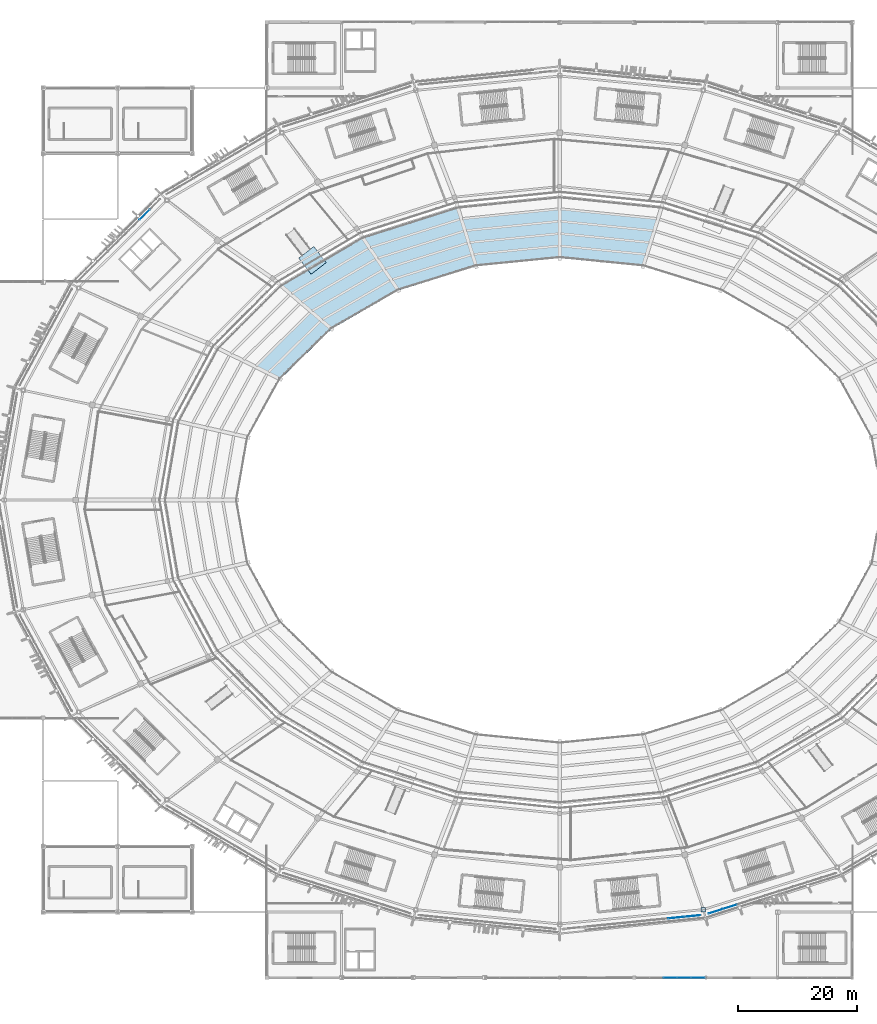
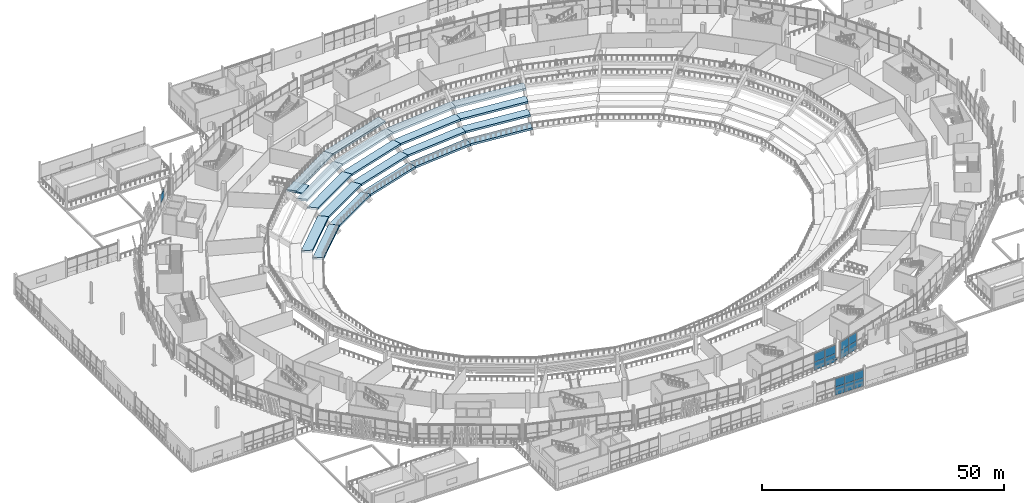
# One storey, part 94 of 178: 21 slabs, 16 plates, 4 elements without a shape of their own.
"""IFC4 building model written with IfcOpenShell, lengths in metres."""

from ifc_helpers import new_model, si_unit, direction, frame, origin, origin_2d, place, context, subcontext, project, spatial, polyline, rectangle, outline, extrude, material, layer, layer_set, type_object, element, aggregate, save


model = new_model("IFC4")

# Units and contexts
model_context = context("Model", 3, precision=1e-05, world=origin(), true_north=direction((0.0, 1.0)))
body_context = subcontext(model_context, "Body", "Model", "MODEL_VIEW")
ifc_project = project(units=[si_unit("LENGTHUNIT", "METRE"), si_unit("AREAUNIT", "SQUARE_METRE"), si_unit("VOLUMEUNIT", "CUBIC_METRE"), si_unit("PLANEANGLEUNIT", "RADIAN"), si_unit("MASSUNIT", "GRAM", prefix="KILO")], contexts=[model_context])

# Site, building, storey
site_placement = place(None, origin())
site = spatial("IfcSite", under=ifc_project, at=site_placement, CompositionType="ELEMENT")
building_placement = place(site_placement, origin())
building = spatial("IfcBuilding", under=site, at=building_placement, Name="Zlatoyarsky Gate Stadium", CompositionType="ELEMENT")
storey_placement = place(building_placement, frame((0.0, 0.0, 5.39990234375)))
storey = spatial("IfcBuildingStorey", under=building, at=storey_placement, Name="L01", CompositionType="ELEMENT", Elevation=5.39990234375)

# Curtain wall, plates
ifc_material_1 = material(Name="Thermally broken anodised aluminium curtain wall", Category="aluminium")
curtain_wall_type_1 = type_object("IfcCurtainWallType", Name="MONUMENTAL ARCHED GATE GLAZING LOWER", PredefinedType="USERDEFINED", material=ifc_material_1)
curtain_wall_1_placement = place(storey_placement, origin())
curtain_wall_1 = element("IfcCurtainWall", 1, at=curtain_wall_1_placement, inside=storey, type_object=curtain_wall_type_1, Name="Curtain wall CW-L01-18", ObjectType="ARCHED GATE GLAZING", PredefinedType="USERDEFINED")
ifc_material_2 = material(Name="Triple-glazed argon low-e architectural glass", Category="glass")
ifc_layer_1 = layer(ifc_material_2, 0.0458984375)
ifc_layer_set_1 = layer_set([ifc_layer_1], Name="Triple-glazed argon low-e architectural glass")
plate_type_1 = type_object("IfcPlateType", Name="ACOUSTIC LAMINATED GATE GLAZING PANEL 46", PredefinedType="CURTAIN_PANEL", material=ifc_layer_set_1)
plate_1_placement = place(storey_placement, frame((130.53759765625, 10.06103515625, 0.074951171875), z_axis=(0.0, 0.0, 1.0), x_axis=(0.994956958498, 0.100302795257, 0.0)))
plate_1 = element("IfcPlate", 2, at=plate_1_placement, type_object=plate_type_1, Name="CW-AG1 panel 6.1", PredefinedType="CURTAIN_PANEL", context=body_context, shape_type="SweptSolid", body=[
    extrude(rectangle(XDim=2.686279296875, YDim=0.0458984375, at=origin_2d()), origin(), (0.0, 0.0, 1.0), 2.03759765625),
])
plate_2_placement = place(storey_placement, frame((130.53759765625, 10.06103515625, 2.1875), z_axis=(0.0, 0.0, 1.0), x_axis=(0.994956958498, 0.100302795257, 0.0)))
plate_2 = element("IfcPlate", 3, at=plate_2_placement, type_object=plate_type_1, Name="CW-AG1 panel 6.2", PredefinedType="CURTAIN_PANEL", context=body_context, shape_type="SweptSolid", body=[
    extrude(rectangle(XDim=2.686279296875, YDim=0.0458984375, at=origin_2d()), origin(), (0.0, 0.0, 1.0), 2.137451171875),
])
plate_3_placement = place(storey_placement, frame((133.266357421875, 10.336181640625, 0.074951171875), z_axis=(0.0, 0.0, 1.0), x_axis=(0.994956958498, 0.100302795257, 0.0)))
plate_3 = element("IfcPlate", 4, at=plate_3_placement, type_object=plate_type_1, Name="CW-AG1 panel 7.1", PredefinedType="CURTAIN_PANEL", context=body_context, shape_type="SweptSolid", body=[
    extrude(rectangle(XDim=2.648681640625, YDim=0.0458984375, at=origin_2d()), origin(), (0.0, 0.0, 1.0), 2.03759765625),
])
plate_4_placement = place(storey_placement, frame((133.266357421875, 10.336181640625, 2.1875), z_axis=(0.0, 0.0, 1.0), x_axis=(0.994956958498, 0.100302795257, 0.0)))
plate_4 = element("IfcPlate", 5, at=plate_4_placement, type_object=plate_type_1, Name="CW-AG1 panel 7.2", PredefinedType="CURTAIN_PANEL", context=body_context, shape_type="SweptSolid", body=[
    extrude(rectangle(XDim=2.648681640625, YDim=0.0458984375, at=origin_2d()), origin(), (0.0, 0.0, 1.0), 2.137451171875),
])
aggregate(curtain_wall_1, [plate_1, plate_2, plate_3, plate_4])

# Slabs
ifc_material_3 = material(Name="Concrete C40/50", Category="concrete")
ifc_layer_2 = layer(ifc_material_3, 0.360107421875)
ifc_layer_set_2 = layer_set([ifc_layer_2], Name="Concrete C40/50")
slab_type_1 = type_object("IfcSlabType", Name="CONCRETE ACCESSIBLE PLATFORM SLAB 360", PredefinedType="FLOOR", material=ifc_layer_set_2)
slab_1_placement = place(storey_placement, origin())
element("IfcSlab", 6, at=slab_1_placement, inside=storey, type_object=slab_type_1, Name="L01 accessible viewing platform at AR-02", PredefinedType="FLOOR", context=body_context, shape_type="SweptSolid", body=[
    extrude(outline(polyline([(67.3125, 120.502685546875), (69.38232421875, 117.805419921875), (71.9208984375, 119.75341796875), (69.851318359375, 122.45068359375), (67.3125, 120.502685546875)])), origin(), (0.0, 0.0, 1.0), 0.360107421875),
])
ifc_material_4 = material(Name="Precast concrete C40/50", Category="concrete")
ifc_layer_3 = layer(ifc_material_4, 0.52001953125)
ifc_layer_set_3 = layer_set([ifc_layer_3], Name="Precast concrete C40/50")
slab_type_2 = type_object("IfcSlabType", Name="PRECAST LOWER SEATING TIER UNIT 520", PredefinedType="USERDEFINED", material=ifc_layer_set_3)
slab_2_placement = place(storey_placement, frame((0.0, 0.0, -3.869873046875)))
element("IfcSlab", 7, at=slab_2_placement, inside=storey, type_object=slab_type_2, Name="Lower seating tier sector 05 row 1", ObjectType="SEATING TIER", PredefinedType="USERDEFINED", context=body_context, shape_type="SweptSolid", body=[
    extrude(outline(polyline([(124.976318359375, 119.1201171875), (125.607666015625, 121.10986328125), (111.0, 122.56005859375), (111.0, 120.5), (124.976318359375, 119.1201171875)])), origin(), (0.0, 0.0, 1.0), 0.52001953125),
])
slab_3_placement = place(storey_placement, frame((0.0, 0.0, -1.969970703125)))
element("IfcSlab", 8, at=slab_3_placement, inside=storey, type_object=slab_type_2, Name="Lower seating tier sector 05 row 2", ObjectType="SEATING TIER", PredefinedType="USERDEFINED", context=body_context, shape_type="SweptSolid", body=[
    extrude(outline(polyline([(125.607666015625, 121.10986328125), (126.2392578125, 123.099609375), (111.0, 124.6201171875), (111.0, 122.56005859375), (125.607666015625, 121.10986328125)])), origin(), (0.0, 0.0, 1.0), 0.52001953125),
])
slab_4_placement = place(storey_placement, frame((0.0, 0.0, -0.06982421875)))
element("IfcSlab", 9, at=slab_4_placement, inside=storey, type_object=slab_type_2, Name="Lower seating tier sector 05 row 3", ObjectType="SEATING TIER", PredefinedType="USERDEFINED", context=body_context, shape_type="SweptSolid", body=[
    extrude(outline(polyline([(126.2392578125, 123.099609375), (126.870849609375, 125.08935546875), (111.0, 126.679931640625), (111.0, 124.6201171875), (126.2392578125, 123.099609375)])), origin(), (0.0, 0.0, 1.0), 0.52001953125),
])
slab_5_placement = place(storey_placement, frame((0.0, 0.0, 1.830078125)))
element("IfcSlab", 10, at=slab_5_placement, inside=storey, type_object=slab_type_2, Name="Lower seating tier sector 05 row 4", ObjectType="SEATING TIER", PredefinedType="USERDEFINED", context=body_context, shape_type="SweptSolid", body=[
    extrude(outline(polyline([(126.870849609375, 125.08935546875), (127.502197265625, 127.0791015625), (111.0, 128.739990234375), (111.0, 126.679931640625), (126.870849609375, 125.08935546875)])), origin(), (0.0, 0.0, 1.0), 0.52001953125),
])
slab_6_placement = place(storey_placement, frame((0.0, 0.0, -3.869873046875)))
element("IfcSlab", 11, at=slab_6_placement, inside=storey, type_object=slab_type_2, Name="Lower seating tier sector 06 row 1", ObjectType="SEATING TIER", PredefinedType="USERDEFINED", context=body_context, shape_type="SweptSolid", body=[
    extrude(outline(polyline([(111.0, 120.5), (111.0, 122.56005859375), (96.392333984375, 121.10986328125), (97.023681640625, 119.1201171875), (111.0, 120.5)])), origin(), (0.0, 0.0, 1.0), 0.52001953125),
])
slab_7_placement = place(storey_placement, frame((0.0, 0.0, -1.969970703125)))
element("IfcSlab", 12, at=slab_7_placement, inside=storey, type_object=slab_type_2, Name="Lower seating tier sector 06 row 2", ObjectType="SEATING TIER", PredefinedType="USERDEFINED", context=body_context, shape_type="SweptSolid", body=[
    extrude(outline(polyline([(111.0, 122.56005859375), (111.0, 124.6201171875), (95.7607421875, 123.099609375), (96.392333984375, 121.10986328125), (111.0, 122.56005859375)])), origin(), (0.0, 0.0, 1.0), 0.52001953125),
])
slab_8_placement = place(storey_placement, frame((0.0, 0.0, -0.06982421875)))
element("IfcSlab", 13, at=slab_8_placement, inside=storey, type_object=slab_type_2, Name="Lower seating tier sector 06 row 3", ObjectType="SEATING TIER", PredefinedType="USERDEFINED", context=body_context, shape_type="SweptSolid", body=[
    extrude(outline(polyline([(111.0, 124.6201171875), (111.0, 126.679931640625), (95.129150390625, 125.08935546875), (95.7607421875, 123.099609375), (111.0, 124.6201171875)])), origin(), (0.0, 0.0, 1.0), 0.52001953125),
])
slab_9_placement = place(storey_placement, frame((0.0, 0.0, 1.830078125)))
element("IfcSlab", 14, at=slab_9_placement, inside=storey, type_object=slab_type_2, Name="Lower seating tier sector 06 row 4", ObjectType="SEATING TIER", PredefinedType="USERDEFINED", context=body_context, shape_type="SweptSolid", body=[
    extrude(outline(polyline([(111.0, 126.679931640625), (111.0, 128.739990234375), (94.497802734375, 127.0791015625), (95.129150390625, 125.08935546875), (111.0, 126.679931640625)])), origin(), (0.0, 0.0, 1.0), 0.52001953125),
])
slab_10_placement = place(storey_placement, frame((0.0, 0.0, -3.869873046875)))
element("IfcSlab", 15, at=slab_10_placement, inside=storey, type_object=slab_type_2, Name="Lower seating tier sector 07 row 1", ObjectType="SEATING TIER", PredefinedType="USERDEFINED", context=body_context, shape_type="SweptSolid", body=[
    extrude(outline(polyline([(97.023681640625, 119.1201171875), (96.392333984375, 121.10986328125), (82.780029296875, 116.85791015625), (84.0, 115.073974609375), (97.023681640625, 119.1201171875)])), origin(), (0.0, 0.0, 1.0), 0.52001953125),
])
slab_11_placement = place(storey_placement, frame((0.0, 0.0, -1.969970703125)))
element("IfcSlab", 16, at=slab_11_placement, inside=storey, type_object=slab_type_2, Name="Lower seating tier sector 07 row 2", ObjectType="SEATING TIER", PredefinedType="USERDEFINED", context=body_context, shape_type="SweptSolid", body=[
    extrude(outline(polyline([(96.392333984375, 121.10986328125), (95.7607421875, 123.099609375), (81.56005859375, 118.64208984375), (82.780029296875, 116.85791015625), (96.392333984375, 121.10986328125)])), origin(), (0.0, 0.0, 1.0), 0.52001953125),
])
slab_12_placement = place(storey_placement, frame((0.0, 0.0, -0.06982421875)))
element("IfcSlab", 17, at=slab_12_placement, inside=storey, type_object=slab_type_2, Name="Lower seating tier sector 07 row 3", ObjectType="SEATING TIER", PredefinedType="USERDEFINED", context=body_context, shape_type="SweptSolid", body=[
    extrude(outline(polyline([(95.7607421875, 123.099609375), (95.129150390625, 125.08935546875), (80.340087890625, 120.426025390625), (81.56005859375, 118.64208984375), (95.7607421875, 123.099609375)])), origin(), (0.0, 0.0, 1.0), 0.52001953125),
])
slab_13_placement = place(storey_placement, frame((0.0, 0.0, 1.830078125)))
element("IfcSlab", 18, at=slab_13_placement, inside=storey, type_object=slab_type_2, Name="Lower seating tier sector 07 row 4", ObjectType="SEATING TIER", PredefinedType="USERDEFINED", context=body_context, shape_type="SweptSolid", body=[
    extrude(outline(polyline([(95.129150390625, 125.08935546875), (94.497802734375, 127.0791015625), (79.1201171875, 122.210205078125), (80.340087890625, 120.426025390625), (95.129150390625, 125.08935546875)])), origin(), (0.0, 0.0, 1.0), 0.52001953125),
])
slab_14_placement = place(storey_placement, frame((0.0, 0.0, 3.72998046875)))
element("IfcSlab", 19, at=slab_14_placement, inside=storey, type_object=slab_type_2, Name="Lower seating tier sector 07 row 5", ObjectType="SEATING TIER", PredefinedType="USERDEFINED", context=body_context, shape_type="SweptSolid", body=[
    extrude(outline(polyline([(94.497802734375, 127.0791015625), (93.8662109375, 129.069091796875), (77.89990234375, 123.994140625), (79.1201171875, 122.210205078125), (94.497802734375, 127.0791015625)])), origin(), (0.0, 0.0, 1.0), 0.52001953125),
])
slab_15_placement = place(storey_placement, frame((0.0, 0.0, -3.869873046875)))
element("IfcSlab", 20, at=slab_15_placement, inside=storey, type_object=slab_type_2, Name="Lower seating tier sector 08 row 1", ObjectType="SEATING TIER", PredefinedType="USERDEFINED", context=body_context, shape_type="SweptSolid", body=[
    extrude(outline(polyline([(84.0, 115.073974609375), (82.780029296875, 116.85791015625), (71.0908203125, 110.094482421875), (72.816162109375, 108.6376953125), (84.0, 115.073974609375)])), origin(), (0.0, 0.0, 1.0), 0.52001953125),
])
slab_16_placement = place(storey_placement, frame((0.0, 0.0, -1.969970703125)))
element("IfcSlab", 21, at=slab_16_placement, inside=storey, type_object=slab_type_2, Name="Lower seating tier sector 08 row 2", ObjectType="SEATING TIER", PredefinedType="USERDEFINED", context=body_context, shape_type="SweptSolid", body=[
    extrude(outline(polyline([(82.780029296875, 116.85791015625), (81.56005859375, 118.64208984375), (69.365478515625, 111.551025390625), (71.0908203125, 110.094482421875), (82.780029296875, 116.85791015625)])), origin(), (0.0, 0.0, 1.0), 0.52001953125),
])
slab_17_placement = place(storey_placement, frame((0.0, 0.0, -0.06982421875)))
element("IfcSlab", 22, at=slab_17_placement, inside=storey, type_object=slab_type_2, Name="Lower seating tier sector 08 row 3", ObjectType="SEATING TIER", PredefinedType="USERDEFINED", context=body_context, shape_type="SweptSolid", body=[
    extrude(outline(polyline([(81.56005859375, 118.64208984375), (80.340087890625, 120.426025390625), (67.64013671875, 113.0078125), (69.365478515625, 111.551025390625), (81.56005859375, 118.64208984375)])), origin(), (0.0, 0.0, 1.0), 0.52001953125),
])
slab_18_placement = place(storey_placement, frame((0.0, 0.0, 1.830078125)))
element("IfcSlab", 23, at=slab_18_placement, inside=storey, type_object=slab_type_2, Name="Lower seating tier sector 08 row 4", ObjectType="SEATING TIER", PredefinedType="USERDEFINED", context=body_context, shape_type="SweptSolid", body=[
    extrude(outline(polyline([(80.340087890625, 120.426025390625), (79.1201171875, 122.210205078125), (65.914794921875, 114.46435546875), (67.64013671875, 113.0078125), (80.340087890625, 120.426025390625)])), origin(), (0.0, 0.0, 1.0), 0.52001953125),
])
slab_19_placement = place(storey_placement, frame((0.0, 0.0, 3.72998046875)))
element("IfcSlab", 24, at=slab_19_placement, inside=storey, type_object=slab_type_2, Name="Lower seating tier sector 08 row 5", ObjectType="SEATING TIER", PredefinedType="USERDEFINED", context=body_context, shape_type="SweptSolid", body=[
    extrude(outline(polyline([(79.1201171875, 122.210205078125), (77.89990234375, 123.994140625), (64.189453125, 115.9208984375), (65.914794921875, 114.46435546875), (79.1201171875, 122.210205078125)])), origin(), (0.0, 0.0, 1.0), 0.52001953125),
])
slab_20_placement = place(storey_placement, frame((0.0, 0.0, -3.869873046875)))
element("IfcSlab", 25, at=slab_20_placement, inside=storey, type_object=slab_type_2, Name="Lower seating tier sector 09 row 1", ObjectType="SEATING TIER", PredefinedType="USERDEFINED", context=body_context, shape_type="SweptSolid", body=[
    extrude(outline(polyline([(72.816162109375, 108.6376953125), (71.0908203125, 110.094482421875), (62.12158203125, 101.280029296875), (64.234619140625, 100.25), (72.816162109375, 108.6376953125)])), origin(), (0.0, 0.0, 1.0), 0.52001953125),
])
slab_21_placement = place(storey_placement, frame((0.0, 0.0, -1.969970703125)))
element("IfcSlab", 26, at=slab_21_placement, inside=storey, type_object=slab_type_2, Name="Lower seating tier sector 09 row 2", ObjectType="SEATING TIER", PredefinedType="USERDEFINED", context=body_context, shape_type="SweptSolid", body=[
    extrude(outline(polyline([(71.0908203125, 110.094482421875), (69.365478515625, 111.551025390625), (60.00830078125, 102.31005859375), (62.12158203125, 101.280029296875), (71.0908203125, 110.094482421875)])), origin(), (0.0, 0.0, 1.0), 0.52001953125),
])

# Plate
ifc_material_5 = material(Name="Steel S355", Category="steel")
ifc_layer_4 = layer(ifc_material_5, 0.0400390625)
ifc_layer_set_4 = layer_set([ifc_layer_4], Name="Steel S355")
plate_type_2 = type_object("IfcPlateType", Name="STEEL COLUMN BASE PLATE 40", PredefinedType="USERDEFINED", material=ifc_layer_set_4)
plate_5_placement = place(storey_placement, frame((135.0703125, 11.419189453125, 0.0), z_axis=(0.0, 0.0, 1.0), x_axis=(1.0, 0.0, 0.0)))
element("IfcPlate", 27, at=plate_5_placement, inside=storey, type_object=plate_type_2, Name="Column base plate BP-01 at RC-19 L01", ObjectType="BASE PLATE", PredefinedType="USERDEFINED", context=body_context, shape_type="SweptSolid", body=[
    extrude(rectangle(XDim=0.75, YDim=0.75, at=origin_2d()), origin(), (0.0, 0.0, 1.0), 0.0400390625),
])

# Curtain wall, plate
curtain_wall_type_2 = type_object("IfcCurtainWallType", Name="UNITISED HOSPITALITY GLAZING L01", PredefinedType="USERDEFINED", material=ifc_material_1)
curtain_wall_2_placement = place(storey_placement, origin())
curtain_wall_2 = element("IfcCurtainWall", 28, at=curtain_wall_2_placement, inside=storey, type_object=curtain_wall_type_2, Name="Curtain wall CW-L01-09", ObjectType="UNITISED GLAZING", PredefinedType="USERDEFINED")
ifc_layer_5 = layer(ifc_material_2, 0.0380859375)
ifc_layer_set_5 = layer_set([ifc_layer_5], Name="Triple-glazed argon low-e architectural glass")
plate_type_3 = type_object("IfcPlateType", Name="TRIPLE GLAZED LOW E CURTAIN PANEL 38", PredefinedType="CURTAIN_PANEL", material=ifc_layer_set_5)
plate_6_placement = place(storey_placement, frame((41.510986328125, 127.767578125, 2.1826171875), z_axis=(0.0, 0.0, 1.0), x_axis=(-0.707841859523, -0.706370937898, 0.0)))
plate_6 = element("IfcPlate", 29, at=plate_6_placement, type_object=plate_type_3, Name="CW-UG1 panel 2.2", PredefinedType="CURTAIN_PANEL", context=body_context, shape_type="SweptSolid", body=[
    extrude(rectangle(XDim=2.407958984375, YDim=0.0380859375, at=origin_2d()), origin(), (0.0, 0.0, 1.0), 2.152587890625),
])
aggregate(curtain_wall_2, [plate_6])

# Curtain wall, plates
curtain_wall_3_placement = place(storey_placement, origin())
curtain_wall_3 = element("IfcCurtainWall", 30, at=curtain_wall_3_placement, inside=storey, type_object=curtain_wall_type_2, Name="Curtain wall CW-L01-19", ObjectType="UNITISED GLAZING", PredefinedType="USERDEFINED")
plate_7_placement = place(storey_placement, frame((137.1298828125, 11.120361328125, 0.06494140625), z_axis=(0.0, 0.0, 1.0), x_axis=(0.953202069722, 0.302333944964, 0.0)))
plate_7 = element("IfcPlate", 31, at=plate_7_placement, type_object=plate_type_3, Name="CW-UG1 panel 1.1", PredefinedType="CURTAIN_PANEL", context=body_context, shape_type="SweptSolid", body=[
    extrude(rectangle(XDim=2.398193359375, YDim=0.0380859375, at=origin_2d()), origin(), (0.0, 0.0, 1.0), 2.052490234375),
])
plate_8_placement = place(storey_placement, frame((137.1298828125, 11.120361328125, 2.1826171875), z_axis=(0.0, 0.0, 1.0), x_axis=(0.953202069722, 0.302333944964, 0.0)))
plate_8 = element("IfcPlate", 32, at=plate_8_placement, type_object=plate_type_3, Name="CW-UG1 panel 1.2", PredefinedType="CURTAIN_PANEL", context=body_context, shape_type="SweptSolid", body=[
    extrude(rectangle(XDim=2.398193359375, YDim=0.0380859375, at=origin_2d()), origin(), (0.0, 0.0, 1.0), 2.152587890625),
])
plate_9_placement = place(storey_placement, frame((139.4931640625, 11.869873046875, 0.06494140625), z_axis=(0.0, 0.0, 1.0), x_axis=(0.953202069722, 0.302333944964, 0.0)))
plate_9 = element("IfcPlate", 33, at=plate_9_placement, type_object=plate_type_3, Name="CW-UG1 panel 2.1", PredefinedType="CURTAIN_PANEL", context=body_context, shape_type="SweptSolid", body=[
    extrude(rectangle(XDim=2.4306640625, YDim=0.0380859375, at=origin_2d()), origin(), (0.0, 0.0, 1.0), 2.052490234375),
])
plate_10_placement = place(storey_placement, frame((139.4931640625, 11.869873046875, 2.1826171875), z_axis=(0.0, 0.0, 1.0), x_axis=(0.953202069722, 0.302333944964, 0.0)))
plate_10 = element("IfcPlate", 34, at=plate_10_placement, type_object=plate_type_3, Name="CW-UG1 panel 2.2", PredefinedType="CURTAIN_PANEL", context=body_context, shape_type="SweptSolid", body=[
    extrude(rectangle(XDim=2.4306640625, YDim=0.0380859375, at=origin_2d()), origin(), (0.0, 0.0, 1.0), 2.152587890625),
])
aggregate(curtain_wall_3, [plate_7, plate_8, plate_9, plate_10])

curtain_wall_type_3 = type_object("IfcCurtainWallType", Name="WINTER GARDEN CONSERVATORY GLAZING", PredefinedType="USERDEFINED", material=ifc_material_1)
curtain_wall_4_placement = place(storey_placement, origin())
curtain_wall_4 = element("IfcCurtainWall", 35, at=curtain_wall_4_placement, inside=storey, type_object=curtain_wall_type_3, Name="Curtain wall CW-V3_SOUTH-L01-159", ObjectType="UNITISED GLAZING", PredefinedType="USERDEFINED")
plate_11_placement = place(storey_placement, frame((129.574951171875, 0.0, 0.06494140625), z_axis=(0.0, 0.0, 1.0), x_axis=(1.0, 0.0, 0.0)))
plate_11 = element("IfcPlate", 36, at=plate_11_placement, type_object=plate_type_3, Name="CW-WG1 panel 3.1", PredefinedType="CURTAIN_PANEL", context=body_context, shape_type="SweptSolid", body=[
    extrude(rectangle(XDim=2.240234375, YDim=0.0380859375, at=origin_2d()), origin(), (0.0, 0.0, 1.0), 2.052490234375),
])
plate_12_placement = place(storey_placement, frame((129.574951171875, 0.0, 2.1826171875), z_axis=(0.0, 0.0, 1.0), x_axis=(1.0, 0.0, 0.0)))
plate_12 = element("IfcPlate", 37, at=plate_12_placement, type_object=plate_type_3, Name="CW-WG1 panel 3.2", PredefinedType="CURTAIN_PANEL", context=body_context, shape_type="SweptSolid", body=[
    extrude(rectangle(XDim=2.240234375, YDim=0.0380859375, at=origin_2d()), origin(), (0.0, 0.0, 1.0), 2.052490234375),
])
plate_13_placement = place(storey_placement, frame((131.880126953125, 0.0, 0.06494140625), z_axis=(0.0, 0.0, 1.0), x_axis=(1.0, 0.0, 0.0)))
plate_13 = element("IfcPlate", 38, at=plate_13_placement, type_object=plate_type_3, Name="CW-WG1 panel 4.1", PredefinedType="CURTAIN_PANEL", context=body_context, shape_type="SweptSolid", body=[
    extrude(rectangle(XDim=2.240234375, YDim=0.0380859375, at=origin_2d()), origin(), (0.0, 0.0, 1.0), 2.052490234375),
])
plate_14_placement = place(storey_placement, frame((131.880126953125, 0.0, 2.1826171875), z_axis=(0.0, 0.0, 1.0), x_axis=(1.0, 0.0, 0.0)))
plate_14 = element("IfcPlate", 39, at=plate_14_placement, type_object=plate_type_3, Name="CW-WG1 panel 4.2", PredefinedType="CURTAIN_PANEL", context=body_context, shape_type="SweptSolid", body=[
    extrude(rectangle(XDim=2.240234375, YDim=0.0380859375, at=origin_2d()), origin(), (0.0, 0.0, 1.0), 2.052490234375),
])
plate_15_placement = place(storey_placement, frame((134.169189453125, 0.0, 0.06494140625), z_axis=(0.0, 0.0, 1.0), x_axis=(1.0, 0.0, 0.0)))
plate_15 = element("IfcPlate", 40, at=plate_15_placement, type_object=plate_type_3, Name="CW-WG1 panel 5.1", PredefinedType="CURTAIN_PANEL", context=body_context, shape_type="SweptSolid", body=[
    extrude(rectangle(XDim=2.207763671875, YDim=0.0380859375, at=origin_2d()), origin(), (0.0, 0.0, 1.0), 2.052490234375),
])
plate_16_placement = place(storey_placement, frame((134.169189453125, 0.0, 2.1826171875), z_axis=(0.0, 0.0, 1.0), x_axis=(1.0, 0.0, 0.0)))
plate_16 = element("IfcPlate", 41, at=plate_16_placement, type_object=plate_type_3, Name="CW-WG1 panel 5.2", PredefinedType="CURTAIN_PANEL", context=body_context, shape_type="SweptSolid", body=[
    extrude(rectangle(XDim=2.207763671875, YDim=0.0380859375, at=origin_2d()), origin(), (0.0, 0.0, 1.0), 2.052490234375),
])
aggregate(curtain_wall_4, [plate_11, plate_12, plate_13, plate_14, plate_15, plate_16])

save(model, "model.ifc")
